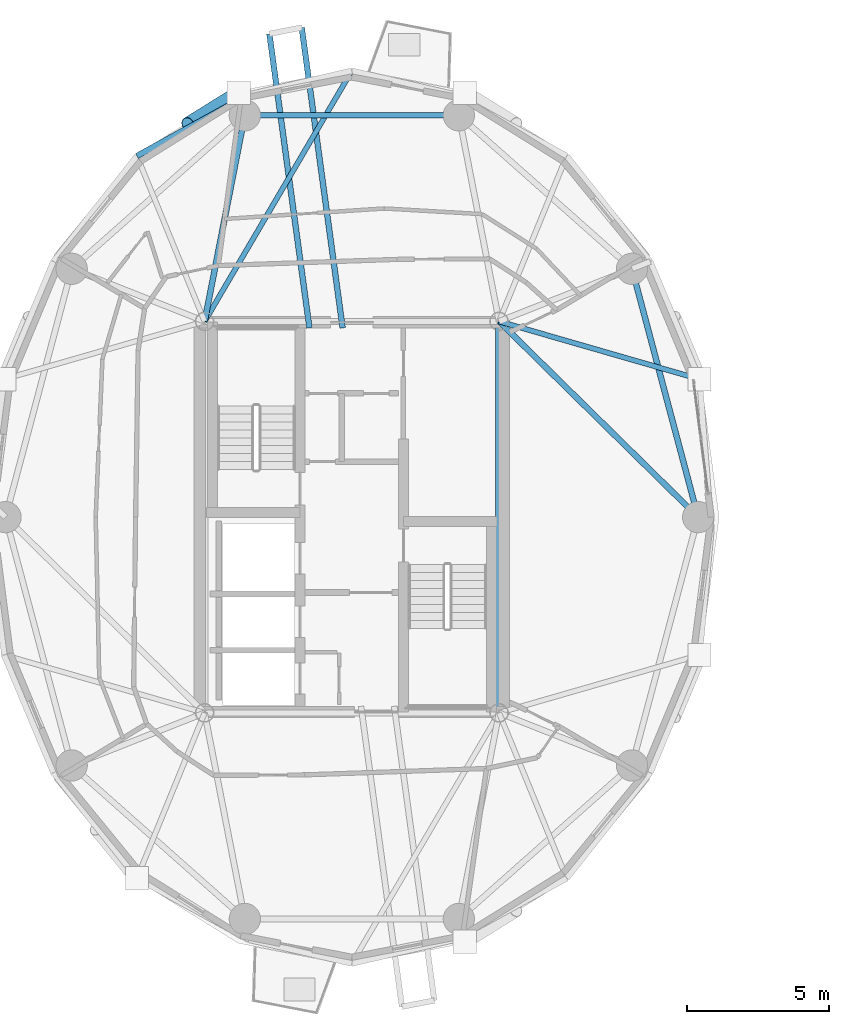
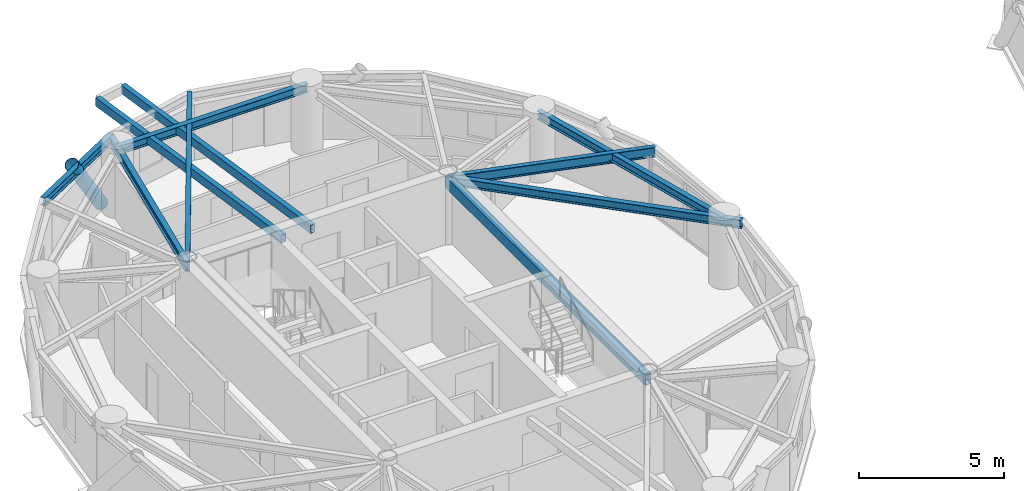
# One storey, part 2 of 16: 10 beams, 1 member.
"""IFC4 building model written with IfcOpenShell, lengths in metres."""

from ifc_helpers import new_model, si_unit, direction, frame, origin, origin_2d, place, context, subcontext, project, spatial, hollow_rectangle, hollow_circle, i_section, extrude, material, material_profile, profile_set, type_object, element, save


model = new_model("IFC4")

# Units and contexts
model_context = context("Model", 3, precision=1e-05, world=origin(), true_north=direction((0.0, 1.0)))
body_context = subcontext(model_context, "Body", "Model", "MODEL_VIEW")
ifc_project = project(units=[si_unit("LENGTHUNIT", "METRE"), si_unit("AREAUNIT", "SQUARE_METRE"), si_unit("VOLUMEUNIT", "CUBIC_METRE"), si_unit("PLANEANGLEUNIT", "RADIAN"), si_unit("MASSUNIT", "GRAM", prefix="KILO")], contexts=[model_context])

# Site, building, storey
site_placement = place(None, origin())
site = spatial("IfcSite", under=ifc_project, at=site_placement, CompositionType="ELEMENT")
building_placement = place(site_placement, origin())
building = spatial("IfcBuilding", under=site, at=building_placement, Name="Cununo Teusaquillo Station Towers", CompositionType="ELEMENT")
storey_placement = place(building_placement, frame((0.0, 0.0, 214.1201171875)))
storey = spatial("IfcBuildingStorey", under=building, at=storey_placement, Name="L68", CompositionType="ELEMENT", Elevation=214.1201171875)

# Beams
ifc_material_1 = material(Name="Steel EN 10025-2 S355J2", Category="steel")
ifc_material_profile_1 = material_profile(ifc_material_1, hollow_rectangle(XDim=0.199951171875, YDim=0.35009765625, WallThickness=0.013916015625, at=origin_2d()), Name="RHS 350x200x14")
ifc_profile_set_1 = profile_set([ifc_material_profile_1], Name="Steel EN 10025-2 S355J2")
beam_type_1 = type_object("IfcBeamType", Name="BM-BAL-CANT", PredefinedType="BEAM", material=ifc_profile_set_1)
beam_1_placement = place(storey_placement, frame((16.177001953125, 31.14990234375, 2.52490234375), z_axis=(-0.135006880627, 0.990844660975, 0.0), x_axis=(-0.990844660975, -0.135006880627, 0.0)))
element("IfcBeam", 1, at=beam_1_placement, inside=storey, type_object=beam_type_1, Name="L68 Tower A Balcony Cantilever Bracket 1A", PredefinedType="BEAM", context=body_context, shape_type="SweptSolid", body=[
    extrude(hollow_rectangle(XDim=0.199951171875, YDim=0.35009765625, WallThickness=0.013916015625, at=origin_2d()), origin(), (0.0, 0.0, 1.0), 10.65673828125),
])
beam_2_placement = place(storey_placement, frame((15.0107421875, 31.14990234375, 2.52490234375), z_axis=(-0.135018196505, 0.990843119072, 0.0), x_axis=(-0.990843119072, -0.135018196505, 0.0)))
element("IfcBeam", 2, at=beam_2_placement, inside=storey, type_object=beam_type_1, Name="L68 Tower A Balcony Cantilever Bracket 1B", PredefinedType="BEAM", context=body_context, shape_type="SweptSolid", body=[
    extrude(hollow_rectangle(XDim=0.199951171875, YDim=0.35009765625, WallThickness=0.013916015625, at=origin_2d()), origin(), (0.0, 0.0, 1.0), 10.43505859375),
])
ifc_material_2 = material(Name="Steel EN 10025-2 S355J2", Category="steel")
ifc_material_profile_2 = material_profile(ifc_material_2, hollow_rectangle(XDim=0.25, YDim=0.449951171875, WallThickness=0.01611328125, at=origin_2d()), Name="RHS 450x250x16")
ifc_profile_set_2 = profile_set([ifc_material_profile_2], Name="Steel EN 10025-2 S355J2")
beam_type_2 = type_object("IfcBeamType", Name="BM-COUP-1", PredefinedType="USERDEFINED", material=ifc_profile_set_2)
beam_3_placement = place(storey_placement, frame((21.675048828125, 17.6201171875, 2.474853515625), z_axis=(0.0, 1.0, 0.0), x_axis=(-1.0, 0.0, 0.0)))
element("IfcBeam", 3, at=beam_3_placement, inside=storey, type_object=beam_type_2, Name="L68 Tower A Core Beam 2", ObjectType="COUPLING BEAM", PredefinedType="USERDEFINED", context=body_context, shape_type="SweptSolid", body=[
    extrude(hollow_rectangle(XDim=0.25, YDim=0.449951171875, WallThickness=0.01611328125, at=origin_2d()), origin(), (0.0, 0.0, 1.0), 13.759765625),
])
ifc_material_3 = material(Name="Steel ASTM A572 Grade 50", Category="steel")
ifc_material_profile_3 = material_profile(ifc_material_3, i_section(OverallWidth=0.180908203125, OverallDepth=0.4169921875, WebThickness=0.010986328125, FlangeThickness=0.018310546875, FilletRadius=0.012939453125, at=origin_2d()), Name="W16X57")
ifc_profile_set_3 = profile_set([ifc_material_profile_3], Name="Steel ASTM A572 Grade 50")
beam_type_3 = type_object("IfcBeamType", Name="BM-JOIST-1", PredefinedType="JOIST", material=ifc_profile_set_3)
beam_4_placement = place(storey_placement, frame((21.675048828125, 31.3798828125, 2.491455078125), z_axis=(0.960861603375, -0.277028841748, 0.0), x_axis=(0.277028841748, 0.960861603375, 0.0)))
element("IfcBeam", 4, at=beam_4_placement, inside=storey, type_object=beam_type_3, Name="L68 Tower A Radial Spandrel Joist V01", PredefinedType="JOIST", context=body_context, shape_type="SweptSolid", body=[
    extrude(i_section(OverallWidth=0.180908203125, OverallDepth=0.4169921875, WebThickness=0.010986328125, FlangeThickness=0.018310546875, FilletRadius=0.012939453125, at=origin_2d()), origin(), (0.0, 0.0, 1.0), 7.333251953125),
])
beam_5_placement = place(storey_placement, frame((11.324951171875, 31.3798828125, 2.491455078125), z_axis=(0.506486432091, 0.862247930765, 0.0), x_axis=(-0.862247930765, 0.506486432091, 0.0)))
element("IfcBeam", 5, at=beam_5_placement, inside=storey, type_object=beam_type_3, Name="L68 Tower A Radial Spandrel Joist V05", PredefinedType="JOIST", context=body_context, shape_type="SweptSolid", body=[
    extrude(i_section(OverallWidth=0.180908203125, OverallDepth=0.4169921875, WebThickness=0.010986328125, FlangeThickness=0.018310546875, FilletRadius=0.012939453125, at=origin_2d()), origin(), (0.0, 0.0, 1.0), 10.217529296875),
])
ifc_material_4 = material(Name="Steel ASTM A572 Grade 50", Category="steel")
ifc_material_profile_4 = material_profile(ifc_material_4, i_section(OverallWidth=0.2041015625, OverallDepth=0.35009765625, WebThickness=0.008544921875, FlangeThickness=0.01513671875, FilletRadius=0.011962890625, at=origin_2d()), Name="W14X48")
ifc_profile_set_4 = profile_set([ifc_material_profile_4], Name="Steel ASTM A572 Grade 50")
beam_type_4 = type_object("IfcBeamType", Name="BM-RAD-G3", PredefinedType="BEAM", material=ifc_profile_set_4)
beam_6_placement = place(storey_placement, frame((21.675048828125, 31.3798828125, 2.52490234375), z_axis=(0.713043510712, -0.701119784225, 0.0), x_axis=(0.701119784225, 0.713043510712, 0.0)))
element("IfcBeam", 6, at=beam_6_placement, inside=storey, type_object=beam_type_4, Name="L68 Tower A Continuous Overhanging Radial Girder 01", PredefinedType="BEAM", context=body_context, shape_type="SweptSolid", body=[
    extrude(i_section(OverallWidth=0.2041015625, OverallDepth=0.35009765625, WebThickness=0.008544921875, FlangeThickness=0.01513671875, FilletRadius=0.011962890625, at=origin_2d()), origin(), (0.0, 0.0, 1.0), 10.462890625),
])
beam_7_placement = place(storey_placement, frame((11.324951171875, 31.3798828125, 2.52490234375), z_axis=(0.191548487699, 0.981483151593, 0.0), x_axis=(-0.981483151593, 0.191548487699, 0.0)))
element("IfcBeam", 7, at=beam_7_placement, inside=storey, type_object=beam_type_4, Name="L68 Tower A Continuous Overhanging Radial Girder 04", PredefinedType="BEAM", context=body_context, shape_type="SweptSolid", body=[
    extrude(i_section(OverallWidth=0.2041015625, OverallDepth=0.35009765625, WebThickness=0.008544921875, FlangeThickness=0.01513671875, FilletRadius=0.011962890625, at=origin_2d()), origin(), (0.0, 0.0, 1.0), 8.1240234375),
])
ifc_material_5 = material(Name="Steel ASTM A572 Grade 50", Category="steel")
ifc_material_profile_5 = material_profile(ifc_material_5, i_section(OverallWidth=0.2041015625, OverallDepth=0.35009765625, WebThickness=0.008544921875, FlangeThickness=0.01513671875, FilletRadius=0.011962890625, at=origin_2d()), Name="W14X48")
ifc_profile_set_5 = profile_set([ifc_material_profile_5], Name="Steel ASTM A572 Grade 50")
beam_type_5 = type_object("IfcBeamType", Name="BM-RING-Z4", PredefinedType="SPANDREL", material=ifc_profile_set_5)
beam_8_placement = place(storey_placement, frame((28.672119140625, 24.5, 2.52490234375), z_axis=(-0.257363196347, 0.966314744359, 0.0), x_axis=(-0.966314744359, -0.257363196347, 0.0)))
element("IfcBeam", 8, at=beam_8_placement, inside=storey, type_object=beam_type_5, Name="L68 Tower A Structural Column Ring Girder 01", PredefinedType="SPANDREL", context=body_context, shape_type="SweptSolid", body=[
    extrude(i_section(OverallWidth=0.2041015625, OverallDepth=0.35009765625, WebThickness=0.008544921875, FlangeThickness=0.01513671875, FilletRadius=0.011962890625, at=origin_2d()), origin(), (0.0, 0.0, 1.0), 9.03271484375),
])
beam_9_placement = place(storey_placement, frame((20.261474609375, 38.623291015625, 2.52490234375), z_axis=(-1.0, 0.0, 0.0), x_axis=(0.0, -1.0, 0.0)))
element("IfcBeam", 9, at=beam_9_placement, inside=storey, type_object=beam_type_5, Name="L68 Tower A Structural Column Ring Girder 03", PredefinedType="SPANDREL", context=body_context, shape_type="SweptSolid", body=[
    extrude(i_section(OverallWidth=0.2041015625, OverallDepth=0.35009765625, WebThickness=0.008544921875, FlangeThickness=0.01513671875, FilletRadius=0.011962890625, at=origin_2d()), origin(), (0.0, 0.0, 1.0), 7.52294921875),
])
beam_10_placement = place(storey_placement, frame((12.881103515625, 39.353515625, 2.52490234375), z_axis=(-0.876576300909, -0.481262910149, 0.0), x_axis=(0.481262910149, -0.876576300909, 0.0)))
element("IfcBeam", 10, at=beam_10_placement, inside=storey, type_object=beam_type_5, Name="L68 Tower A Spandrel Ring Beam 07", PredefinedType="SPANDREL", context=body_context, shape_type="SweptSolid", body=[
    extrude(i_section(OverallWidth=0.2041015625, OverallDepth=0.35009765625, WebThickness=0.008544921875, FlangeThickness=0.01513671875, FilletRadius=0.011962890625, at=origin_2d()), origin(), (0.0, 0.0, 1.0), 4.488037109375),
])

# Member
ifc_material_6 = material(Name="Steel EN 10025-2 S355J2", Category="steel")
ifc_material_profile_6 = material_profile(ifc_material_6, hollow_circle(Radius=0.25390625, WallThickness=0.01806640625, at=origin_2d()), Name="CHS 508x18")
ifc_profile_set_6 = profile_set([ifc_material_profile_6], Name="Steel EN 10025-2 S355J2")
member_type = type_object("IfcMemberType", Name="MBR-DIAG-Z4", PredefinedType="BRACE", material=ifc_profile_set_6)
member_placement = place(storey_placement, frame((12.529052734375, 39.422119140625, -0.14013671875), z_axis=(-0.498333742466, -0.310032061152, 0.809656471708), x_axis=(0.528249968439, -0.849088906325, 0.0)))
element("IfcMember", 11, at=member_placement, inside=storey, type_object=member_type, Name="L68 Tower A Folded-Zigzag Diagrid Tube C06", PredefinedType="BRACE", context=body_context, shape_type="SweptSolid", body=[
    extrude(hollow_circle(Radius=0.25390625, WallThickness=0.01806640625, at=origin_2d()), origin(), (0.0, 0.0, 1.0), 3.593994140625),
])

save(model, "model.ifc")
